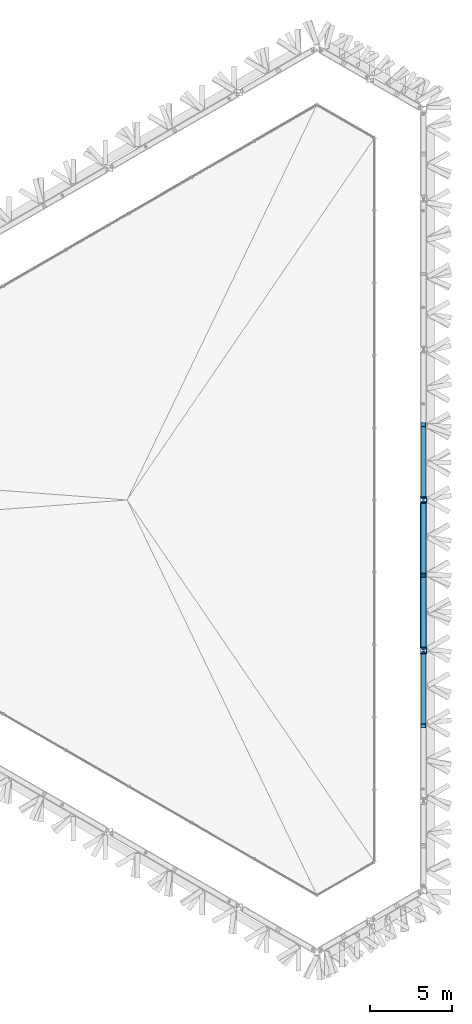
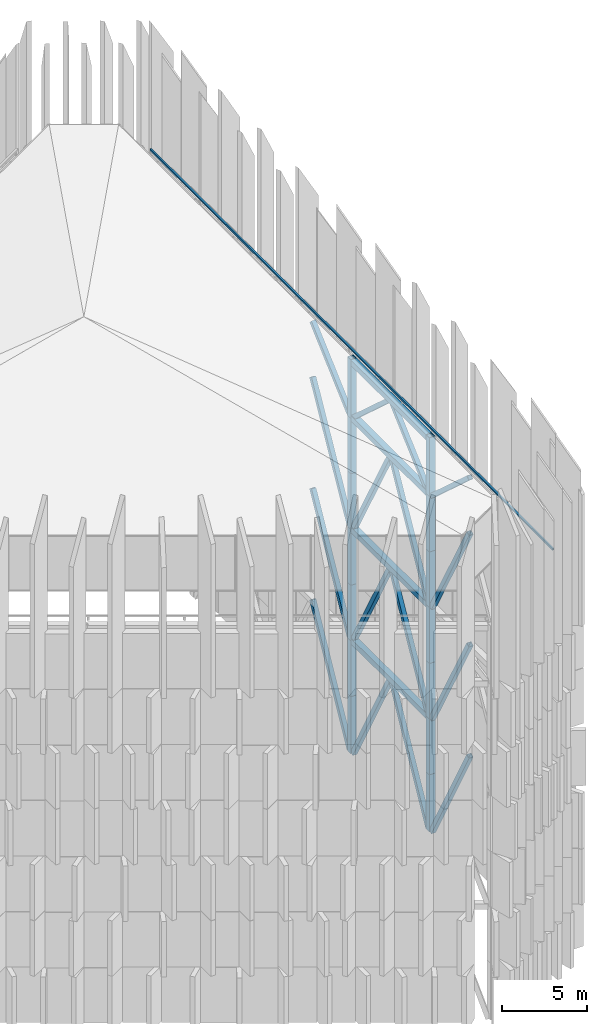
# One storey, part 9 of 45: 35 members.
"""IFC4 building model written with IfcOpenShell, lengths in metres."""

from ifc_helpers import new_model, si_unit, direction, frame, origin, origin_2d, place, context, subcontext, project, spatial, hollow_rectangle, extrude, material, material_profile, profile_set, type_object, element, save


model = new_model("IFC4")

# Units and contexts
model_context = context("Model", 3, precision=1e-05, world=origin(), true_north=direction((0.0, 1.0)))
body_context = subcontext(model_context, "Body", "Model", "MODEL_VIEW")
ifc_project = project(units=[si_unit("LENGTHUNIT", "METRE"), si_unit("AREAUNIT", "SQUARE_METRE"), si_unit("VOLUMEUNIT", "CUBIC_METRE"), si_unit("PLANEANGLEUNIT", "RADIAN"), si_unit("MASSUNIT", "GRAM", prefix="KILO")], contexts=[model_context])

# Site, building, storey
site_placement = place(None, origin())
site = spatial("IfcSite", under=ifc_project, at=site_placement, CompositionType="ELEMENT")
building_placement = place(site_placement, origin())
building = spatial("IfcBuilding", under=site, at=building_placement, Name="Jabali Bay Hotel Tower and Convention Centre", CompositionType="ELEMENT")
storey_placement = place(building_placement, frame((0.0, 0.0, 322.39990234375)))
storey = spatial("IfcBuildingStorey", under=building, at=storey_placement, Name="Crown", CompositionType="ELEMENT", Elevation=322.39990234375)

# Members
ifc_material_1 = material(Name="Steel Q355B", Category="steel")
ifc_material_profile_1 = material_profile(ifc_material_1, hollow_rectangle(XDim=0.1201171875, YDim=0.1201171875, WallThickness=0.008056640625, at=origin_2d()), Name="BMU rail")
ifc_profile_set_1 = profile_set([ifc_material_profile_1], Name="Steel Q355B")
member_type_1 = type_object("IfcMemberType", Name="BMU rail", PredefinedType="USERDEFINED", material=ifc_profile_set_1)
member_placement = place(storey_placement, frame((93.148681640625, 56.39794921875, 28.66015625), z_axis=(0.0, 1.0, 0.0), x_axis=(-1.0, 0.0, 0.0)))
element("IfcMember", 1, at=member_placement, inside=storey, type_object=member_type_1, Name="BMU rail 1", ObjectType="BMU RAIL", PredefinedType="USERDEFINED", context=body_context, shape_type="SweptSolid", body=[
    extrude(hollow_rectangle(XDim=0.1201171875, YDim=0.1201171875, WallThickness=0.008056640625, at=origin_2d()), origin(), (0.0, 0.0, 1.0), 47.2041015625),
])
ifc_material_2 = material(Name="Steel Q420GJC", Category="steel")
ifc_material_profile_2 = material_profile(ifc_material_2, hollow_rectangle(XDim=0.300048828125, YDim=0.300048828125, WallThickness=0.01611328125, at=origin_2d()), Name="Crown frame brace 300x300x16")
ifc_profile_set_2 = profile_set([ifc_material_profile_2], Name="Steel Q420GJC")
member_type_2 = type_object("IfcMemberType", Name="Crown frame brace 300x300x16", PredefinedType="USERDEFINED", material=ifc_profile_set_2)
for number, where, z_axis, x_axis, name in (
    (2, (93.148681640625, 70.5771484375, -0.099853515625), (0.0, -0.479593962396, 0.877490530566), (1.0, 0.0, 0.0), "Crown brace 1 F0.1-F0.2r"),
    (3, (93.148681640625, 70.977294921875, -0.099853515625), (0.0, 0.479593962396, 0.877490530566), (-1.0, 0.0, 0.0), "Crown brace 1 F0.2-F0.3l"),
    (4, (93.148681640625, 79.800048828125, -0.099853515625), (0.0, -0.479593962396, 0.877490530566), (1.0, 0.0, 0.0), "Crown brace 1 F0.2-F0.3r"),
    (5, (93.148681640625, 80.199951171875, -0.099853515625), (0.0, 0.479593962396, 0.877490530566), (-1.0, 0.0, 0.0), "Crown brace 1 F0.3-F0.4l"),
):
    element("IfcMember", number, at=place(storey_placement, frame(where, z_axis=z_axis, x_axis=x_axis)), inside=storey, type_object=member_type_2, Name=name, ObjectType="CROWN FRAME", PredefinedType="USERDEFINED", context=body_context, shape_type="SweptSolid", body=[
        extrude(hollow_rectangle(XDim=0.300048828125, YDim=0.300048828125, WallThickness=0.01611328125, at=origin_2d()), origin(), (0.0, 0.0, 1.0), 9.1982421875),
    ])
for number, where, z_axis, x_axis, name in (
    (6, (93.148681640625, 70.5771484375, 7.971435546875), (0.0, -0.484199768174, 0.874957475824), (1.0, 0.0, 0.0), "Crown brace 2 F0.1-F0.2r"),
    (7, (93.148681640625, 70.977294921875, 7.971435546875), (0.0, 0.484199768174, 0.874957475824), (-1.0, 0.0, 0.0), "Crown brace 2 F0.2-F0.3l"),
    (8, (93.148681640625, 79.800048828125, 7.971435546875), (0.0, -0.484199768174, 0.874957475824), (1.0, 0.0, 0.0), "Crown brace 2 F0.2-F0.3r"),
    (9, (93.148681640625, 80.199951171875, 7.971435546875), (0.0, 0.484199768174, 0.874957475824), (-1.0, 0.0, 0.0), "Crown brace 2 F0.3-F0.4l"),
    (10, (93.148681640625, 70.5771484375, 15.94287109375), (0.0, -0.484199768174, 0.874957475824), (1.0, 0.0, 0.0), "Crown brace 3 F0.1-F0.2r"),
    (11, (93.148681640625, 70.977294921875, 15.94287109375), (0.0, 0.484199768174, 0.874957475824), (-1.0, 0.0, 0.0), "Crown brace 3 F0.2-F0.3l"),
    (12, (93.148681640625, 79.800048828125, 15.94287109375), (0.0, -0.484199768174, 0.874957475824), (1.0, 0.0, 0.0), "Crown brace 3 F0.2-F0.3r"),
    (13, (93.148681640625, 80.199951171875, 15.94287109375), (0.0, 0.484199768174, 0.874957475824), (-1.0, 0.0, 0.0), "Crown brace 3 F0.3-F0.4l"),
):
    element("IfcMember", number, at=place(storey_placement, frame(where, z_axis=z_axis, x_axis=x_axis)), inside=storey, type_object=member_type_2, Name=name, ObjectType="CROWN FRAME", PredefinedType="USERDEFINED", context=body_context, shape_type="SweptSolid", body=[
        extrude(hollow_rectangle(XDim=0.300048828125, YDim=0.300048828125, WallThickness=0.01611328125, at=origin_2d()), origin(), (0.0, 0.0, 1.0), 9.110595703125),
    ])
for number, where, z_axis, x_axis, name in (
    (14, (93.148681640625, 70.5771484375, 23.914306640625), (0.0, -0.741987981752, 0.670413182251), (1.0, 0.0, 0.0), "Crown brace 4 F0.1-F0.2r"),
    (15, (93.148681640625, 70.977294921875, 23.914306640625), (0.0, 0.741987981752, 0.670413182251), (-1.0, 0.0, 0.0), "Crown brace 4 F0.2-F0.3l"),
    (16, (93.148681640625, 79.800048828125, 23.914306640625), (0.0, -0.741987981752, 0.670413182251), (1.0, 0.0, 0.0), "Crown brace 4 F0.2-F0.3r"),
    (17, (93.148681640625, 80.199951171875, 23.914306640625), (0.0, 0.741987981752, 0.670413182251), (-1.0, 0.0, 0.0), "Crown brace 4 F0.3-F0.4l"),
):
    element("IfcMember", number, at=place(storey_placement, frame(where, z_axis=z_axis, x_axis=x_axis)), inside=storey, type_object=member_type_2, Name=name, ObjectType="CROWN FRAME", PredefinedType="USERDEFINED", context=body_context, shape_type="SweptSolid", body=[
        extrude(hollow_rectangle(XDim=0.300048828125, YDim=0.300048828125, WallThickness=0.01611328125, at=origin_2d()), origin(), (0.0, 0.0, 1.0), 5.9453125),
    ])
ifc_material_profile_3 = material_profile(ifc_material_2, hollow_rectangle(XDim=0.39990234375, YDim=0.39990234375, WallThickness=0.02001953125, at=origin_2d()), Name="Crown frame member 400x400x20")
ifc_profile_set_3 = profile_set([ifc_material_profile_3], Name="Steel Q420GJC")
member_type_3 = type_object("IfcMemberType", Name="Crown frame member 400x400x20", PredefinedType="USERDEFINED", material=ifc_profile_set_3)
for number, where, z_axis, x_axis, name in (
    (18, (93.148681640625, 70.77734375, -0.099853515625), (0.0, 0.0, 1.0), (1.0, 0.0, 0.0), "Crown post F0.2 1"),
    (19, (93.148681640625, 80.0, -0.099853515625), (0.0, 0.0, 1.0), (1.0, 0.0, 0.0), "Crown post F0.3 1"),
):
    element("IfcMember", number, at=place(storey_placement, frame(where, z_axis=z_axis, x_axis=x_axis)), inside=storey, type_object=member_type_3, Name=name, ObjectType="CROWN FRAME", PredefinedType="USERDEFINED", context=body_context, shape_type="SweptSolid", body=[
        extrude(hollow_rectangle(XDim=0.39990234375, YDim=0.39990234375, WallThickness=0.02001953125, at=origin_2d()), origin(), (0.0, 0.0, 1.0), 4.085693359375),
    ])
for number, where, z_axis, x_axis, name in (
    (20, (93.148681640625, 70.77734375, 3.98583984375), (0.0, 0.0, 1.0), (1.0, 0.0, 0.0), "Crown post F0.2 2"),
    (21, (93.148681640625, 80.0, 3.98583984375), (0.0, 0.0, 1.0), (1.0, 0.0, 0.0), "Crown post F0.3 2"),
):
    element("IfcMember", number, at=place(storey_placement, frame(where, z_axis=z_axis, x_axis=x_axis)), inside=storey, type_object=member_type_3, Name=name, ObjectType="CROWN FRAME", PredefinedType="USERDEFINED", context=body_context, shape_type="SweptSolid", body=[
        extrude(hollow_rectangle(XDim=0.39990234375, YDim=0.39990234375, WallThickness=0.02001953125, at=origin_2d()), origin(), (0.0, 0.0, 1.0), 3.985595703125),
    ])
for number, where, z_axis, x_axis, name in (
    (22, (93.148681640625, 70.77734375, 7.971435546875), (0.0, 0.0, 1.0), (1.0, 0.0, 0.0), "Crown post F0.2 3"),
    (23, (93.148681640625, 80.0, 7.971435546875), (0.0, 0.0, 1.0), (1.0, 0.0, 0.0), "Crown post F0.3 3"),
):
    element("IfcMember", number, at=place(storey_placement, frame(where, z_axis=z_axis, x_axis=x_axis)), inside=storey, type_object=member_type_3, Name=name, ObjectType="CROWN FRAME", PredefinedType="USERDEFINED", context=body_context, shape_type="SweptSolid", body=[
        extrude(hollow_rectangle(XDim=0.39990234375, YDim=0.39990234375, WallThickness=0.02001953125, at=origin_2d()), origin(), (0.0, 0.0, 1.0), 3.98583984375),
    ])
for number, where, z_axis, x_axis, name in (
    (24, (93.148681640625, 70.77734375, 11.957275390625), (0.0, 0.0, 1.0), (1.0, 0.0, 0.0), "Crown post F0.2 4"),
    (25, (93.148681640625, 80.0, 11.957275390625), (0.0, 0.0, 1.0), (1.0, 0.0, 0.0), "Crown post F0.3 4"),
):
    element("IfcMember", number, at=place(storey_placement, frame(where, z_axis=z_axis, x_axis=x_axis)), inside=storey, type_object=member_type_3, Name=name, ObjectType="CROWN FRAME", PredefinedType="USERDEFINED", context=body_context, shape_type="SweptSolid", body=[
        extrude(hollow_rectangle(XDim=0.39990234375, YDim=0.39990234375, WallThickness=0.02001953125, at=origin_2d()), origin(), (0.0, 0.0, 1.0), 3.985595703125),
    ])
for number, where, z_axis, x_axis, name in (
    (26, (93.148681640625, 70.77734375, 15.94287109375), (0.0, 0.0, 1.0), (1.0, 0.0, 0.0), "Crown post F0.2 5"),
    (27, (93.148681640625, 80.0, 15.94287109375), (0.0, 0.0, 1.0), (1.0, 0.0, 0.0), "Crown post F0.3 5"),
):
    element("IfcMember", number, at=place(storey_placement, frame(where, z_axis=z_axis, x_axis=x_axis)), inside=storey, type_object=member_type_3, Name=name, ObjectType="CROWN FRAME", PredefinedType="USERDEFINED", context=body_context, shape_type="SweptSolid", body=[
        extrude(hollow_rectangle(XDim=0.39990234375, YDim=0.39990234375, WallThickness=0.02001953125, at=origin_2d()), origin(), (0.0, 0.0, 1.0), 3.98583984375),
    ])
for number, where, z_axis, x_axis, name in (
    (28, (93.148681640625, 70.77734375, 19.9287109375), (0.0, 0.0, 1.0), (1.0, 0.0, 0.0), "Crown post F0.2 6"),
    (29, (93.148681640625, 80.0, 19.9287109375), (0.0, 0.0, 1.0), (1.0, 0.0, 0.0), "Crown post F0.3 6"),
):
    element("IfcMember", number, at=place(storey_placement, frame(where, z_axis=z_axis, x_axis=x_axis)), inside=storey, type_object=member_type_3, Name=name, ObjectType="CROWN FRAME", PredefinedType="USERDEFINED", context=body_context, shape_type="SweptSolid", body=[
        extrude(hollow_rectangle(XDim=0.39990234375, YDim=0.39990234375, WallThickness=0.02001953125, at=origin_2d()), origin(), (0.0, 0.0, 1.0), 3.985595703125),
    ])
for number, where, z_axis, x_axis, name in (
    (30, (93.148681640625, 70.77734375, 23.914306640625), (0.0, 0.0, 1.0), (1.0, 0.0, 0.0), "Crown post F0.2 7"),
    (31, (93.148681640625, 80.0, 23.914306640625), (0.0, 0.0, 1.0), (1.0, 0.0, 0.0), "Crown post F0.3 7"),
):
    element("IfcMember", number, at=place(storey_placement, frame(where, z_axis=z_axis, x_axis=x_axis)), inside=storey, type_object=member_type_3, Name=name, ObjectType="CROWN FRAME", PredefinedType="USERDEFINED", context=body_context, shape_type="SweptSolid", body=[
        extrude(hollow_rectangle(XDim=0.39990234375, YDim=0.39990234375, WallThickness=0.02001953125, at=origin_2d()), origin(), (0.0, 0.0, 1.0), 4.185791015625),
    ])
for number, where, z_axis, x_axis, name in (
    (32, (93.148681640625, 70.977294921875, 7.971435546875), (0.0, 1.0, 0.0), (-1.0, 0.0, 0.0), "Crown ring 330.371 F0.2-F0.3"),
    (33, (93.148681640625, 70.977294921875, 15.94287109375), (0.0, 1.0, 0.0), (-1.0, 0.0, 0.0), "Crown ring 338.343 F0.2-F0.3"),
    (34, (93.148681640625, 70.977294921875, 23.914306640625), (0.0, 1.0, 0.0), (-1.0, 0.0, 0.0), "Crown ring 346.314 F0.2-F0.3"),
    (35, (93.148681640625, 70.977294921875, 27.900146484375), (0.0, 1.0, 0.0), (-1.0, 0.0, 0.0), "Crown ring 350.3 F0.2-F0.3"),
):
    element("IfcMember", number, at=place(storey_placement, frame(where, z_axis=z_axis, x_axis=x_axis)), inside=storey, type_object=member_type_3, Name=name, ObjectType="CROWN FRAME", PredefinedType="USERDEFINED", context=body_context, shape_type="SweptSolid", body=[
        extrude(hollow_rectangle(XDim=0.39990234375, YDim=0.39990234375, WallThickness=0.02001953125, at=origin_2d()), origin(), (0.0, 0.0, 1.0), 8.82275390625),
    ])

save(model, "model.ifc")
